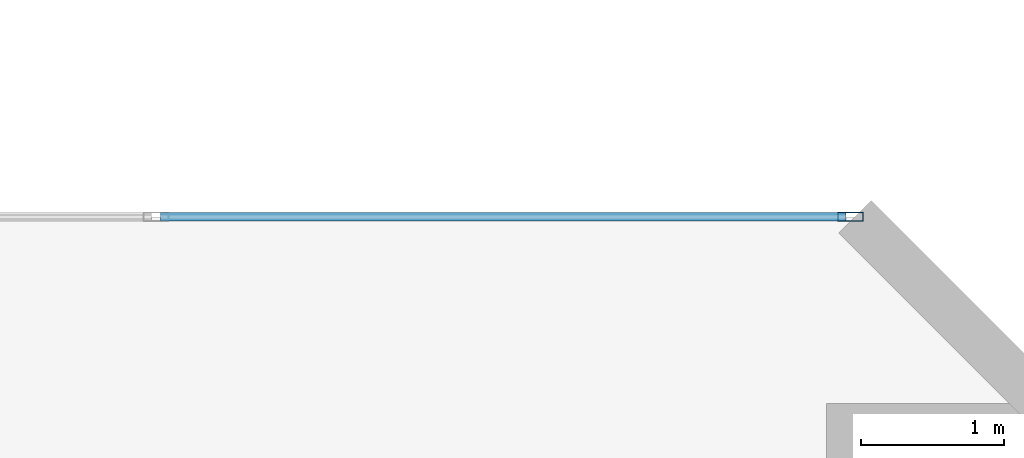
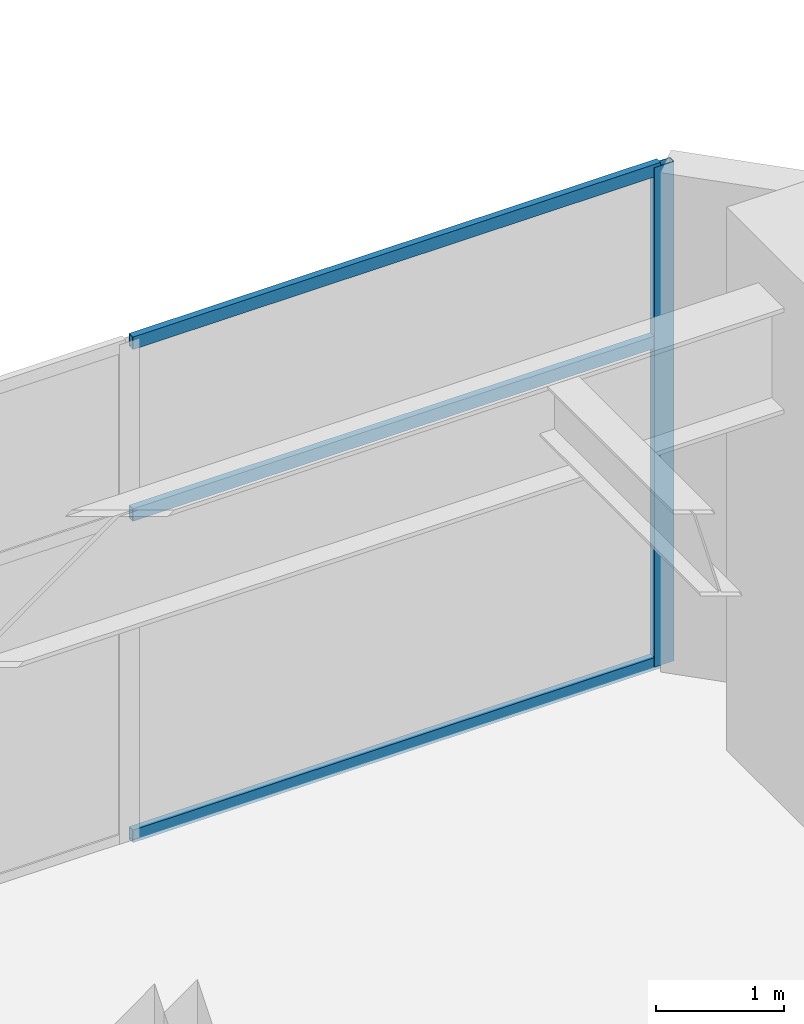
# One storey, part 19 of 29: 4 members, 1 element without a shape of its own.
"""IFC4 building model written with IfcOpenShell, lengths in metres."""

from ifc_helpers import new_model, si_unit, direction, frame, origin, origin_2d, place, context, subcontext, project, spatial, hollow_rectangle, extrude, material, layer, layer_set, material_profile, profile_set, type_object, element, aggregate, save


model = new_model("IFC4")

# Units and contexts
model_context = context("Model", 3, precision=1e-05, world=origin(), true_north=direction((0.0, 1.0)))
body_context = subcontext(model_context, "Body", "Model", "MODEL_VIEW")
ifc_project = project(units=[si_unit("LENGTHUNIT", "METRE"), si_unit("AREAUNIT", "SQUARE_METRE"), si_unit("VOLUMEUNIT", "CUBIC_METRE"), si_unit("PLANEANGLEUNIT", "RADIAN"), si_unit("MASSUNIT", "GRAM", prefix="KILO")], contexts=[model_context])

# Site, building, storey
site_placement = place(None, origin())
site = spatial("IfcSite", under=ifc_project, at=site_placement, CompositionType="ELEMENT")
building_placement = place(site_placement, origin())
building = spatial("IfcBuilding", under=site, at=building_placement, Name="Mawjaban Terraces University", CompositionType="ELEMENT")
storey_placement = place(building_placement, frame((0.0, 0.0, 20.800048828125)))
storey = spatial("IfcBuildingStorey", under=building, at=storey_placement, Name="L04", CompositionType="ELEMENT", Elevation=20.800048828125)

# Curtain wall, members
ifc_material_1 = material(Name="Anodised aluminium 6063-T6 and solar-control low-E glass", Category="aluminium")
ifc_layer = layer(ifc_material_1, 0.175048828125)
ifc_layer_set = layer_set([ifc_layer], Name="Anodised aluminium 6063-T6 and solar-control low-E glass")
curtain_wall_type = type_object("IfcCurtainWallType", Name="CWSystem_02_PodiumLibrary", PredefinedType="NOTDEFINED", material=ifc_layer_set)
curtain_wall_placement = place(storey_placement, origin())
curtain_wall = element("IfcCurtainWall", 1, at=curtain_wall_placement, inside=storey, type_object=curtain_wall_type, Name="L04 Curtain Wall CW-02 Run 5.1", PredefinedType="NOTDEFINED")
ifc_material_2 = material(Name="Anodised aluminium 6063-T6", Category="aluminium")
ifc_material_profile_1 = material_profile(ifc_material_2, hollow_rectangle(XDim=0.06494140625, YDim=0.179931640625, WallThickness=0.00390625, at=origin_2d()), Name="ALU180X65X4")
ifc_profile_set_1 = profile_set([ifc_material_profile_1], Name="Anodised aluminium 6063-T6")
member_type_1 = type_object("IfcMemberType", Name="Mullion_CW-02", PredefinedType="MULLION", material=ifc_profile_set_1)
member_1_placement = place(storey_placement, frame((73.467529296875, 32.0, 0.0), z_axis=(0.0, 0.0, 1.0), x_axis=(0.0, -1.0, 0.0)))
member_1 = element("IfcMember", 2, at=member_1_placement, type_object=member_type_1, Name="CW-02 mullion 1", PredefinedType="MULLION", context=body_context, shape_type="SweptSolid", body=[
    extrude(hollow_rectangle(XDim=0.06494140625, YDim=0.179931640625, WallThickness=0.00390625, at=origin_2d()), origin(), (0.0, 0.0, 1.0), 4.780029296875),
])
ifc_material_profile_2 = material_profile(ifc_material_2, hollow_rectangle(XDim=0.06005859375, YDim=0.1201171875, WallThickness=0.00341796875, at=origin_2d()), Name="ALU120X60X3.5")
ifc_profile_set_2 = profile_set([ifc_material_profile_2], Name="Anodised aluminium 6063-T6")
member_type_2 = type_object("IfcMemberType", Name="Transom_CW-02", PredefinedType="NOTDEFINED", material=ifc_profile_set_2)
member_2_placement = place(storey_placement, frame((73.43505859375, 32.0, 0.030029296875), z_axis=(-1.0, 0.0, 0.0), x_axis=(0.0, -1.0, 0.0)))
member_2 = element("IfcMember", 3, at=member_2_placement, type_object=member_type_2, Name="CW-02 transom 1.1", ObjectType="TRANSOM", PredefinedType="USERDEFINED", context=body_context, shape_type="SweptSolid", body=[
    extrude(hollow_rectangle(XDim=0.06005859375, YDim=0.1201171875, WallThickness=0.00341796875, at=origin_2d()), origin(), (0.0, 0.0, 1.0), 4.777587890625),
])
member_3_placement = place(storey_placement, frame((73.43505859375, 32.0, 3.10693359375), z_axis=(-1.0, 0.0, 0.0), x_axis=(0.0, -1.0, 0.0)))
member_3 = element("IfcMember", 4, at=member_3_placement, type_object=member_type_2, Name="CW-02 transom 1.2", ObjectType="TRANSOM", PredefinedType="USERDEFINED", context=body_context, shape_type="SweptSolid", body=[
    extrude(hollow_rectangle(XDim=0.06005859375, YDim=0.1201171875, WallThickness=0.00341796875, at=origin_2d()), origin(), (0.0, 0.0, 1.0), 4.777587890625),
])
member_4_placement = place(storey_placement, frame((73.43505859375, 32.0, 4.75), z_axis=(-1.0, 0.0, 0.0), x_axis=(0.0, -1.0, 0.0)))
member_4 = element("IfcMember", 5, at=member_4_placement, type_object=member_type_2, Name="CW-02 transom 1.3", ObjectType="TRANSOM", PredefinedType="USERDEFINED", context=body_context, shape_type="SweptSolid", body=[
    extrude(hollow_rectangle(XDim=0.06005859375, YDim=0.1201171875, WallThickness=0.00341796875, at=origin_2d()), origin(), (0.0, 0.0, 1.0), 4.777587890625),
])
aggregate(curtain_wall, [member_1, member_2, member_3, member_4])

save(model, "model.ifc")
